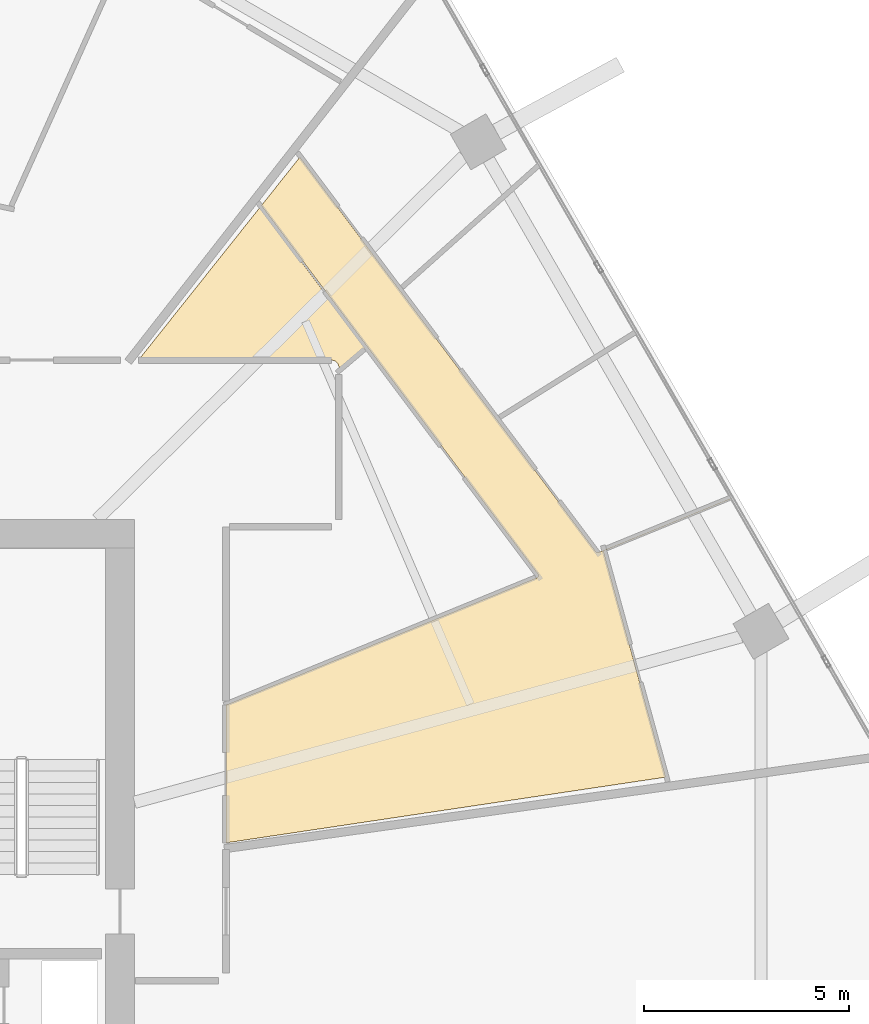
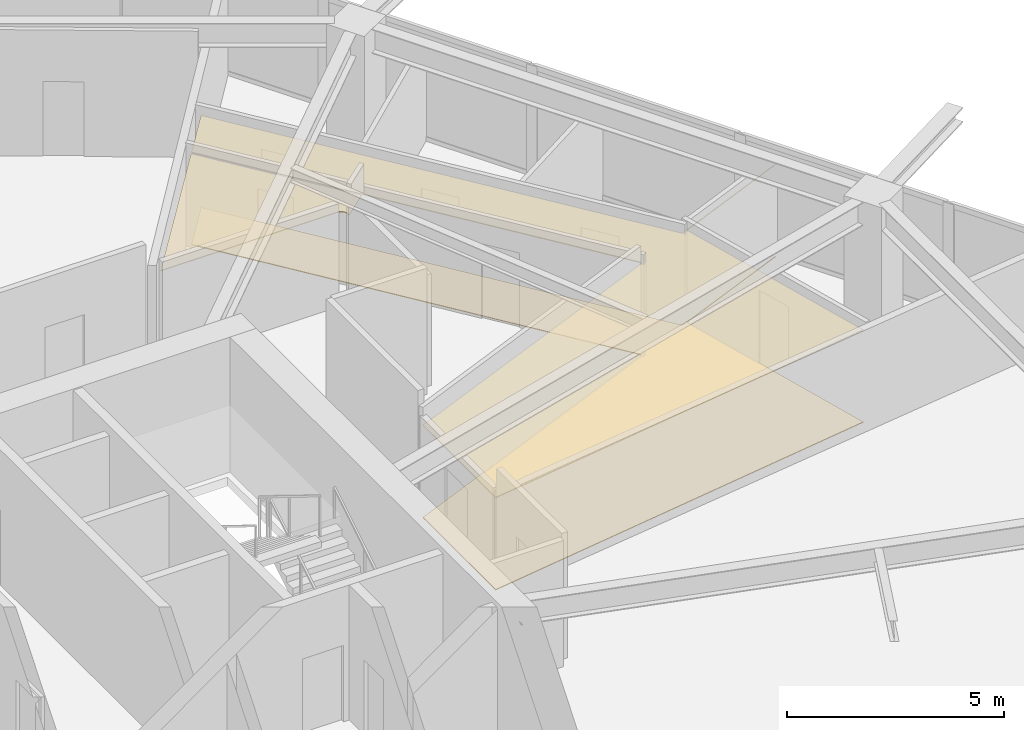
# One storey, part 25 of 25: 3 coverings.
"""IFC4 building model written with IfcOpenShell, lengths in metres."""

from ifc_helpers import new_model, si_unit, direction, frame, origin, place, context, subcontext, project, spatial, polyline, outline, extrude, material, layer, layer_set, type_object, element, save


model = new_model("IFC4")

# Units and contexts
model_context = context("Model", 3, precision=1e-05, world=origin(), true_north=direction((0.0, 1.0)))
body_context = subcontext(model_context, "Body", "Model", "MODEL_VIEW")
ifc_project = project(units=[si_unit("LENGTHUNIT", "METRE"), si_unit("AREAUNIT", "SQUARE_METRE"), si_unit("VOLUMEUNIT", "CUBIC_METRE"), si_unit("PLANEANGLEUNIT", "RADIAN"), si_unit("MASSUNIT", "GRAM", prefix="KILO")], contexts=[model_context])

# Site, building, storey
site_placement = place(None, origin())
site = spatial("IfcSite", under=ifc_project, at=site_placement, CompositionType="ELEMENT")
building_placement = place(site_placement, origin())
building = spatial("IfcBuilding", under=site, at=building_placement, Name="Zuhravey Tower", CompositionType="ELEMENT")
storey_placement = place(building_placement, frame((0.0, 0.0, 150.39990234375)))
storey = spatial("IfcBuildingStorey", under=building, at=storey_placement, Name="L37", CompositionType="ELEMENT", Elevation=150.39990234375)

# Coverings
ifc_material_1 = material(Name="Mineral-fibre acoustic ceiling tile")
ifc_layer_1 = layer(ifc_material_1, 0.02490234375)
ifc_layer_set_1 = layer_set([ifc_layer_1], Name="Mineral-fibre acoustic ceiling tile")
covering_type_1 = type_object("IfcCoveringType", Name="Acoustic Suspended Ceiling", PredefinedType="CEILING", material=ifc_layer_set_1)
covering_1_placement = place(storey_placement, frame((0.0, 0.0, 2.590087890625)))
element("IfcCovering", 1, at=covering_1_placement, inside=storey, type_object=covering_type_1, Name="L37 Acoustic Suspended Ceiling CLG1", PredefinedType="CEILING", context=body_context, shape_type="SweptSolid", body=[
    extrude(outline(polyline([(49.080078125, 33.97509765625), (49.080078125, 37.332275390625), (56.65771484375, 40.433837890625), (56.679443359375, 40.450927734375), (56.688720703125, 40.474853515625), (56.68701171875, 40.493896484375), (56.678955078125, 40.51025390625), (49.939697265625, 49.492431640625), (50.87890625, 50.67333984375), (58.0908203125, 41.060791015625), (58.100830078125, 41.05078125), (58.1240234375, 41.04150390625), (58.14990234375, 41.044677734375), (61.361328125, 42.359130859375), (61.3662109375, 42.350341796875), (58.289306640625, 41.0908203125), (58.281494140625, 41.085205078125), (58.27734375, 41.07666015625), (58.277587890625, 41.067138671875), (59.7880859375, 35.575439453125), (49.080078125, 33.97509765625)])), origin(), (0.0, 0.0, 1.0), 0.02490234375),
])
ifc_material_2 = material(Name="Porcelain tile finish")
ifc_layer_2 = layer(ifc_material_2, 0.02001953125)
ifc_layer_set_2 = layer_set([ifc_layer_2], Name="Porcelain tile finish")
covering_type_2 = type_object("IfcCoveringType", Name="Apartment Ondol Porcelain Flooring", PredefinedType="FLOORING", material=ifc_layer_set_2)
covering_2_placement = place(storey_placement, origin())
element("IfcCovering", 2, at=covering_2_placement, inside=storey, type_object=covering_type_2, Name="L37 Principal Room Acoustic Flooring", PredefinedType="FLOORING", context=body_context, shape_type="SweptSolid", body=[
    extrude(outline(polyline([(49.080078125, 33.97509765625), (49.080078125, 37.332275390625), (56.65771484375, 40.433837890625), (56.679443359375, 40.450927734375), (56.688720703125, 40.474853515625), (56.68701171875, 40.493896484375), (56.678955078125, 40.51025390625), (49.939697265625, 49.492431640625), (50.87890625, 50.67333984375), (58.0908203125, 41.060791015625), (58.100830078125, 41.05078125), (58.1240234375, 41.04150390625), (58.14990234375, 41.044677734375), (61.361328125, 42.359130859375), (61.3662109375, 42.350341796875), (58.289306640625, 41.0908203125), (58.281494140625, 41.085205078125), (58.27734375, 41.07666015625), (58.277587890625, 41.067138671875), (59.7880859375, 35.575439453125), (49.080078125, 33.97509765625)])), origin(), (0.0, 0.0, 1.0), 0.02001953125),
])
ifc_material_3 = material(Name="Moisture-resistant gypsum ceiling board")
ifc_layer_3 = layer(ifc_material_3, 0.02001953125)
ifc_layer_set_3 = layer_set([ifc_layer_3], Name="Moisture-resistant gypsum ceiling board")
covering_type_3 = type_object("IfcCoveringType", Name="Moisture-Resistant Ceiling", PredefinedType="CEILING", material=ifc_layer_set_3)
covering_3_placement = place(storey_placement, frame((0.0, 0.0, 2.590087890625)))
element("IfcCovering", 3, at=covering_3_placement, inside=storey, type_object=covering_type_3, Name="L37 Wet-Room Ceiling CLG2", PredefinedType="CEILING", context=body_context, shape_type="SweptSolid", body=[
    extrude(outline(polyline([(51.830078125, 45.550048828125), (51.82666015625, 45.583984375), (51.816650390625, 45.617919921875), (51.80029296875, 45.649169921875), (51.778076171875, 45.676513671875), (51.750732421875, 45.69921875), (51.7197265625, 45.7158203125), (51.68603515625, 45.726318359375), (51.65087890625, 45.72998046875), (46.947021484375, 45.72998046875), (49.9140625, 49.460205078125), (52.47705078125, 46.043701171875), (51.830078125, 45.493408203125), (51.830078125, 45.550048828125)])), origin(), (0.0, 0.0, 1.0), 0.02001953125),
])

save(model, "model.ifc")
